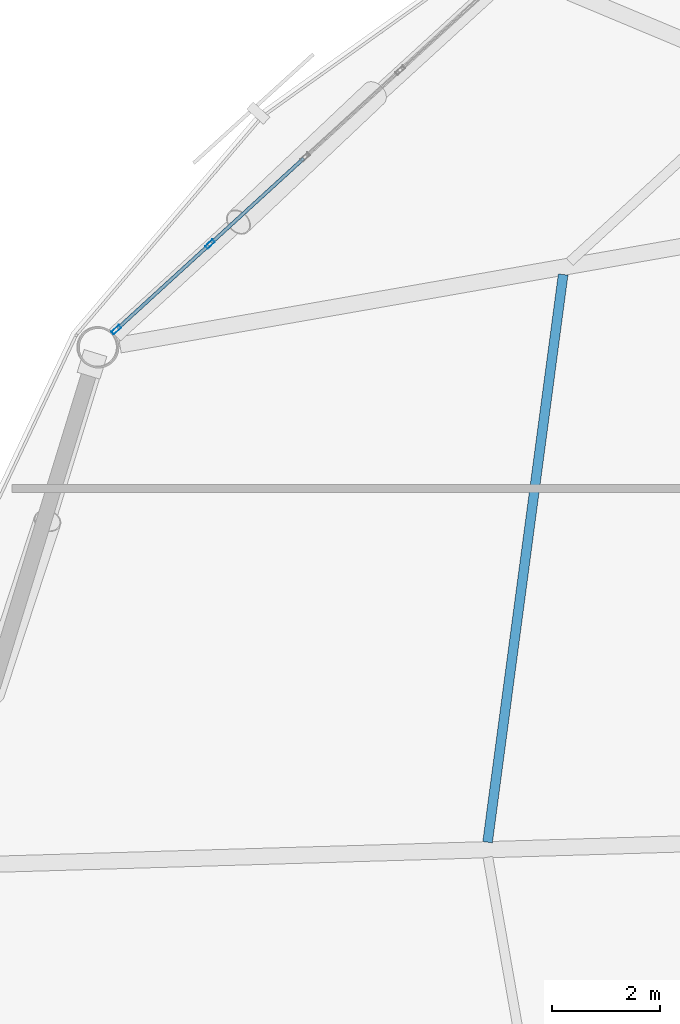
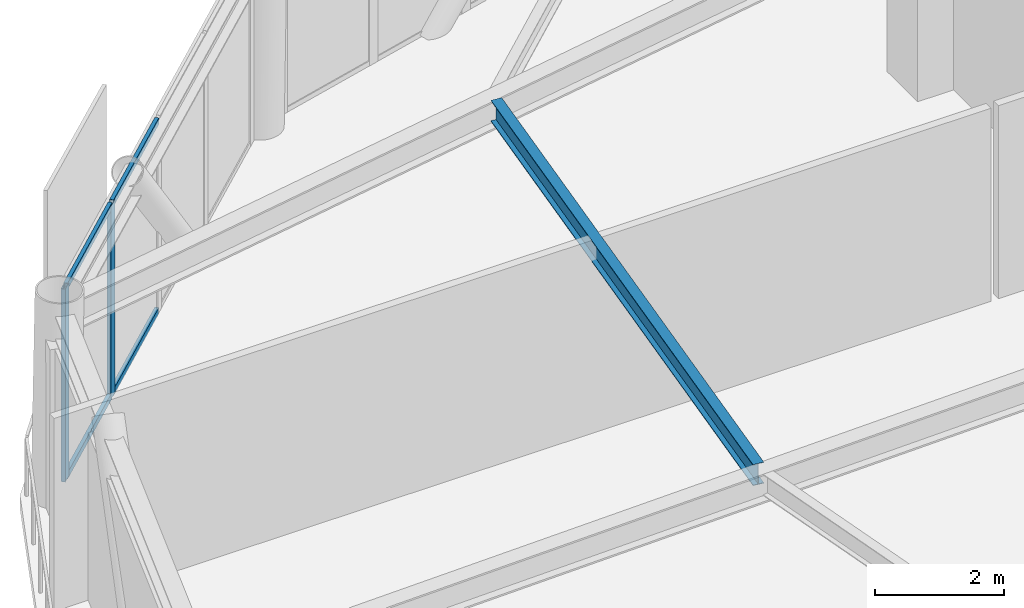
# One storey, part 10 of 25: 6 members, 1 beam, 1 element without a shape of its own.
"""IFC4 building model written with IfcOpenShell, lengths in metres."""

from ifc_helpers import new_model, si_unit, direction, frame, origin, origin_2d, place, context, subcontext, project, spatial, hollow_rectangle, i_section, extrude, material, layer, layer_set, material_profile, profile_set, type_object, element, aggregate, save


model = new_model("IFC4")

# Units and contexts
model_context = context("Model", 3, precision=1e-05, world=origin(), true_north=direction((0.0, 1.0)))
body_context = subcontext(model_context, "Body", "Model", "MODEL_VIEW")
ifc_project = project(units=[si_unit("LENGTHUNIT", "METRE"), si_unit("AREAUNIT", "SQUARE_METRE"), si_unit("VOLUMEUNIT", "CUBIC_METRE"), si_unit("PLANEANGLEUNIT", "RADIAN"), si_unit("MASSUNIT", "GRAM", prefix="KILO")], contexts=[model_context])

# Site, building, storey
site_placement = place(None, origin())
site = spatial("IfcSite", under=ifc_project, at=site_placement, CompositionType="ELEMENT")
building_placement = place(site_placement, origin())
building = spatial("IfcBuilding", under=site, at=building_placement, Name="Varnakorn Sky Granary", CompositionType="ELEMENT")
storey_placement = place(building_placement, frame((0.0, 0.0, 126.60009765625)))
storey = spatial("IfcBuildingStorey", under=building, at=storey_placement, Name="L31", CompositionType="ELEMENT", Elevation=126.60009765625)

# Beam
ifc_material_1 = material(Name="Steel S355JR", Category="steel")
ifc_material_profile_1 = material_profile(ifc_material_1, i_section(OverallWidth=0.179931640625, OverallDepth=0.39990234375, WebThickness=0.008544921875, FlangeThickness=0.013427734375, at=origin_2d()), Name="IPE 400")
ifc_profile_set_1 = profile_set([ifc_material_profile_1], Name="Steel S355JR")
beam_type = type_object("IfcBeamType", Name="BM-SEC-Z3", PredefinedType="BEAM", material=ifc_profile_set_1)
beam_placement = place(storey_placement, frame((-11.090576171875, 10.96435546875, 3.43994140625), z_axis=(-0.131964935749, -0.991254384975, 0.0), x_axis=(0.991254384975, -0.131964935749, 0.0)))
element("IfcBeam", 1, at=beam_placement, inside=storey, type_object=beam_type, Name="Secondary Floor Chord Beam MSB06 L31", PredefinedType="BEAM", context=body_context, shape_type="SweptSolid", body=[
    extrude(i_section(OverallWidth=0.179931640625, OverallDepth=0.39990234375, WebThickness=0.008544921875, FlangeThickness=0.013427734375, at=origin_2d()), origin(), (0.0, 0.0, 1.0), 10.619140625),
])

# Curtain wall, members
ifc_material_2 = material(Name="Anodised Bronze Aluminium Alloy 6063-T6", Category="aluminium")
ifc_layer = layer(ifc_material_2, 0.179931640625, Name="Anodised Bronze Aluminium Alloy 6063-T6")
ifc_layer_set = layer_set([ifc_layer], Name="Anodised Bronze Aluminium Alloy 6063-T6")
curtain_wall_type = type_object("IfcCurtainWallType", Name="CW-FRM-2", PredefinedType="USERDEFINED", material=ifc_layer_set)
curtain_wall_placement = place(storey_placement, origin())
curtain_wall = element("IfcCurtainWall", 2, at=curtain_wall_placement, inside=storey, type_object=curtain_wall_type, Name="Unitised Curtain Wall CW4 CW-L31-B05", ObjectType="CURTAIN WALL", PredefinedType="USERDEFINED")
ifc_material_profile_2 = material_profile(ifc_material_2, hollow_rectangle(XDim=0.070068359375, YDim=0.18505859375, WallThickness=0.00390625, at=origin_2d()), Name="ALU MULL 70x185")
ifc_profile_set_2 = profile_set([ifc_material_profile_2], Name="Anodised Bronze Aluminium Alloy 6063-T6")
member_type_1 = type_object("IfcMemberType", Name="CW-FRM-2-MULL", PredefinedType="MULLION", material=ifc_profile_set_2)
member_1_placement = place(storey_placement, frame((-19.376708984375, 9.940673828125, 0.0), z_axis=(0.0, 0.0, 1.0), x_axis=(-0.674680923597, 0.738109511749, 0.0)))
member_1 = element("IfcMember", 3, at=member_1_placement, type_object=member_type_1, Name="CW4 mullion 1", PredefinedType="MULLION", context=body_context, shape_type="SweptSolid", body=[
    extrude(hollow_rectangle(XDim=0.070068359375, YDim=0.18505859375, WallThickness=0.00390625, at=origin_2d()), origin(), (0.0, 0.0, 1.0), 3.639892578125),
])
member_2_placement = place(storey_placement, frame((-17.639404296875, 11.52880859375, 0.0), z_axis=(0.0, 0.0, 1.0), x_axis=(-0.674680923597, 0.738109511749, 0.0)))
member_2 = element("IfcMember", 4, at=member_2_placement, type_object=member_type_1, Name="CW4 mullion 2", PredefinedType="MULLION", context=body_context, shape_type="SweptSolid", body=[
    extrude(hollow_rectangle(XDim=0.070068359375, YDim=0.18505859375, WallThickness=0.00390625, at=origin_2d()), origin(), (0.0, 0.0, 1.0), 3.639892578125),
])
ifc_material_profile_3 = material_profile(ifc_material_2, hollow_rectangle(XDim=0.06494140625, YDim=0.1201171875, WallThickness=0.00341796875, at=origin_2d()), Name="ALU TRAN 65x120")
ifc_profile_set_3 = profile_set([ifc_material_profile_3], Name="Anodised Bronze Aluminium Alloy 6063-T6")
member_type_2 = type_object("IfcMemberType", Name="CW-FRM-2-TRAN", PredefinedType="USERDEFINED", material=ifc_profile_set_3)
member_3_placement = place(storey_placement, frame((-19.350830078125, 9.964111328125, 0.032470703125), z_axis=(0.738089645744, 0.674702656616, 0.0), x_axis=(-0.674702656616, 0.738089645744, 0.0)))
member_3 = element("IfcMember", 5, at=member_3_placement, type_object=member_type_2, Name="CW4 transom 1.1", ObjectType="TRANSOM", PredefinedType="USERDEFINED", context=body_context, shape_type="SweptSolid", body=[
    extrude(hollow_rectangle(XDim=0.06494140625, YDim=0.1201171875, WallThickness=0.00341796875, at=origin_2d()), origin(), (0.0, 0.0, 1.0), 2.283935546875),
])
member_4_placement = place(storey_placement, frame((-19.350830078125, 9.964111328125, 3.607421875), z_axis=(0.738089645744, 0.674702656616, 0.0), x_axis=(-0.674702656616, 0.738089645744, 0.0)))
member_4 = element("IfcMember", 6, at=member_4_placement, type_object=member_type_2, Name="CW4 transom 1.2", ObjectType="TRANSOM", PredefinedType="USERDEFINED", context=body_context, shape_type="SweptSolid", body=[
    extrude(hollow_rectangle(XDim=0.06494140625, YDim=0.1201171875, WallThickness=0.00341796875, at=origin_2d()), origin(), (0.0, 0.0, 1.0), 2.283935546875),
])
member_5_placement = place(storey_placement, frame((-17.613525390625, 11.55224609375, 0.032470703125), z_axis=(0.73808423228, 0.674708578617, 0.0), x_axis=(-0.674708578617, 0.73808423228, 0.0)))
member_5 = element("IfcMember", 7, at=member_5_placement, type_object=member_type_2, Name="CW4 transom 2.1", ObjectType="TRANSOM", PredefinedType="USERDEFINED", context=body_context, shape_type="SweptSolid", body=[
    extrude(hollow_rectangle(XDim=0.06494140625, YDim=0.1201171875, WallThickness=0.00341796875, at=origin_2d()), origin(), (0.0, 0.0, 1.0), 2.319091796875),
])
member_6_placement = place(storey_placement, frame((-17.613525390625, 11.55224609375, 3.607421875), z_axis=(0.73808423228, 0.674708578617, 0.0), x_axis=(-0.674708578617, 0.73808423228, 0.0)))
member_6 = element("IfcMember", 8, at=member_6_placement, type_object=member_type_2, Name="CW4 transom 2.2", ObjectType="TRANSOM", PredefinedType="USERDEFINED", context=body_context, shape_type="SweptSolid", body=[
    extrude(hollow_rectangle(XDim=0.06494140625, YDim=0.1201171875, WallThickness=0.00341796875, at=origin_2d()), origin(), (0.0, 0.0, 1.0), 2.319091796875),
])
aggregate(curtain_wall, [member_1, member_2, member_3, member_4, member_5, member_6])

save(model, "model.ifc")
